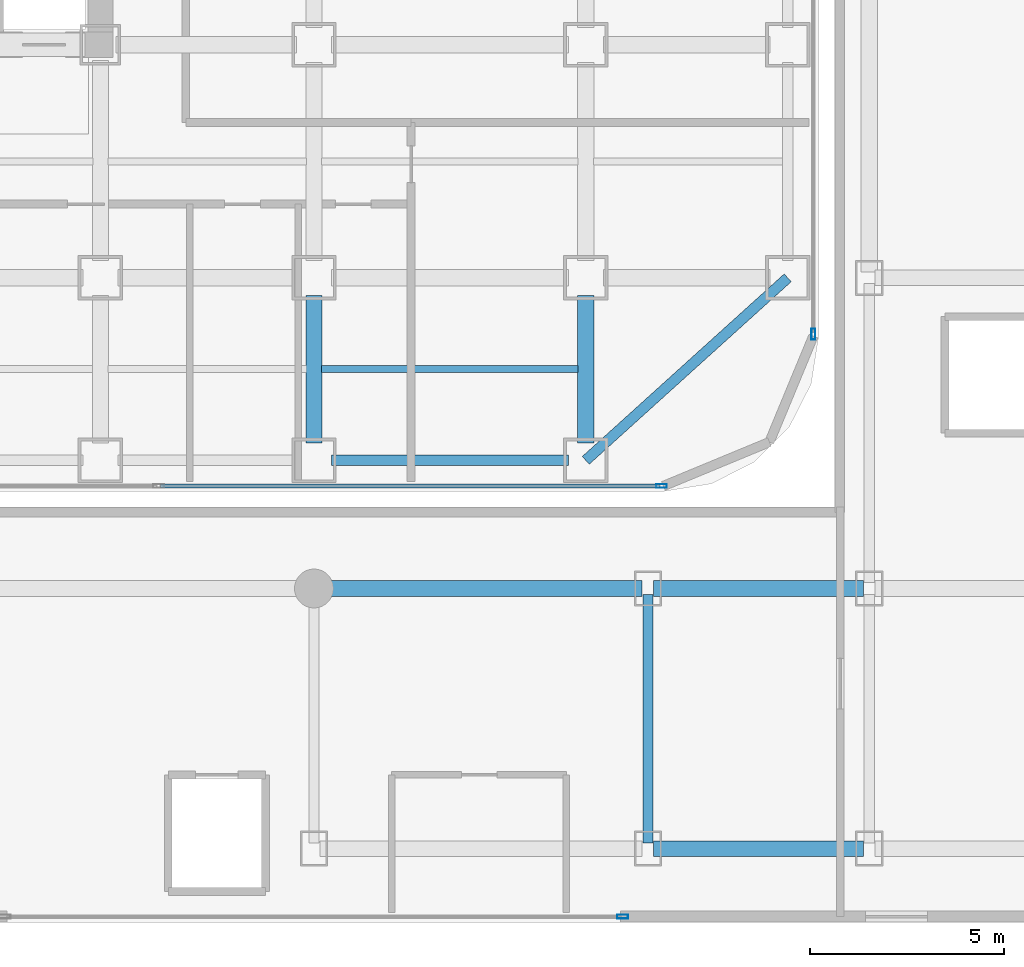
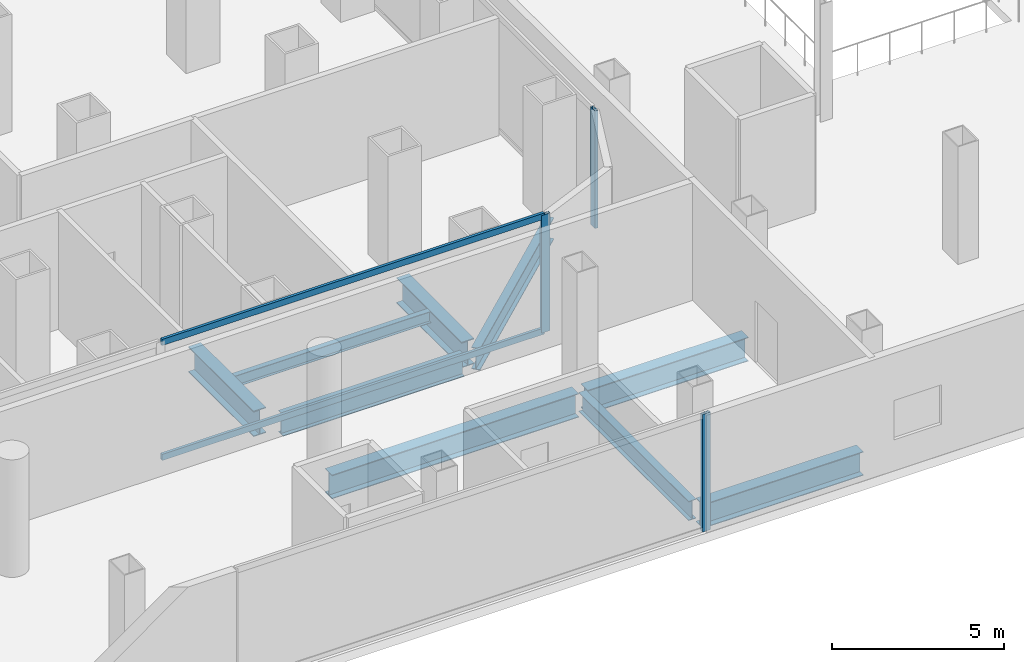
# One storey, part 10 of 27: 9 beams, 5 members, 3 elements without a shape of their own.
"""IFC4 building model written with IfcOpenShell, lengths in metres."""

from ifc_helpers import new_model, si_unit, direction, frame, origin, origin_2d, place, context, subcontext, project, spatial, hollow_rectangle, i_section, extrude, source, transform, mapped, material, layer, layer_set, material_profile, profile_set, type_object, element, aggregate, save


model = new_model("IFC4")

# Units and contexts
model_context = context("Model", 3, precision=1e-05, world=origin(), true_north=direction((0.0, 1.0)))
body_context = subcontext(model_context, "Body", "Model", "MODEL_VIEW")
ifc_project = project(units=[si_unit("LENGTHUNIT", "METRE"), si_unit("AREAUNIT", "SQUARE_METRE"), si_unit("VOLUMEUNIT", "CUBIC_METRE"), si_unit("PLANEANGLEUNIT", "RADIAN"), si_unit("MASSUNIT", "GRAM", prefix="KILO")], contexts=[model_context])

# Site, building, storey
site_placement = place(None, origin())
site = spatial("IfcSite", under=ifc_project, at=site_placement, CompositionType="ELEMENT")
building_placement = place(site_placement, origin())
building = spatial("IfcBuilding", under=site, at=building_placement, Name="Kolveth Station Tower", CompositionType="ELEMENT")
storey_placement = place(building_placement, frame((0.0, 0.0, 13.5)))
storey = spatial("IfcBuildingStorey", under=building, at=storey_placement, Name="L03", CompositionType="ELEMENT", Elevation=13.5)

# Beams
ifc_material_1 = material(Name="Steel S355", Category="steel")
ifc_material_profile_1 = material_profile(ifc_material_1, i_section(OverallWidth=0.26904296875, OverallDepth=0.77490234375, WebThickness=0.01708984375, FlangeThickness=0.0283203125, at=origin_2d()), Name="W760x220")
ifc_profile_set_1 = profile_set([ifc_material_profile_1], Name="Steel S355")
beam_type_1 = type_object("IfcBeamType", Name="Beam_SP1", PredefinedType="SPANDREL", material=ifc_profile_set_1)
shared_shape_1 = source(origin(), body_context, "Body", "SweptSolid", [
    extrude(i_section(OverallWidth=0.26904296875, OverallDepth=0.77490234375, WebThickness=0.01708984375, FlangeThickness=0.0283203125, at=origin_2d()), origin(), (0.0, 0.0, 1.0), 6.10009765625),
])
beam_1_placement = place(storey_placement, frame((34.449951171875, 0.800048828125, -0.70751953125), z_axis=(1.0, 0.0, 0.0), x_axis=(0.0, 1.0, 0.0)))
element("IfcBeam", 1, at=beam_1_placement, inside=storey, type_object=beam_type_1, Name="L03 Perimeter Spandrel BM-L03-PS-5", PredefinedType="SPANDREL", context=body_context, shape_type="MappedRepresentation", body=[
    mapped(shared_shape_1, transform((0.0, 0.0, 0.0), x_axis=(1.0, 0.0, 0.0), y_axis=(0.0, 1.0, 0.0), z_axis=(0.0, 0.0, 1.0), scale=1.0)),
])
shared_shape_2 = source(origin(), body_context, "Body", "SweptSolid", [
    extrude(i_section(OverallWidth=0.26904296875, OverallDepth=0.77490234375, WebThickness=0.01708984375, FlangeThickness=0.0283203125, at=origin_2d()), origin(), (0.0, 0.0, 1.0), 7.00927734375),
])
beam_2_placement = place(storey_placement, frame((41.0, 0.800048828125, -0.70751953125), z_axis=(0.741874009795, 0.670539300557, 0.0), x_axis=(-0.670539300557, 0.741874009795, 0.0)))
element("IfcBeam", 2, at=beam_2_placement, inside=storey, type_object=beam_type_1, Name="L03 Corner Edge Girder BM-L03-CNR-SE", PredefinedType="SPANDREL", context=body_context, shape_type="MappedRepresentation", body=[
    mapped(shared_shape_2, transform((0.0, 0.0, 0.0), x_axis=(1.0, 0.0, 0.0), y_axis=(0.0, 1.0, 0.0), z_axis=(0.0, 0.0, 1.0), scale=1.0)),
])
ifc_material_profile_2 = material_profile(ifc_material_1, i_section(OverallWidth=0.41796875, OverallDepth=0.912109375, WebThickness=0.019287109375, FlangeThickness=0.031982421875, at=origin_2d()), Name="W920x342")
ifc_profile_set_2 = profile_set([ifc_material_profile_2], Name="Steel S355")
beam_type_2 = type_object("IfcBeamType", Name="Beam_B1", PredefinedType="BEAM", material=ifc_profile_set_2)
shared_shape_3 = source(origin(), body_context, "Body", "SweptSolid", [
    extrude(i_section(OverallWidth=0.41796875, OverallDepth=0.912109375, WebThickness=0.019287109375, FlangeThickness=0.031982421875, at=origin_2d()), origin(), (0.0, 0.0, 1.0), 3.800048828125),
])
for number, where, z_axis, x_axis, name in (
    (3, (34.0, 1.25, -0.77587890625), (0.0, 1.0, 0.0), (-1.0, 0.0, 0.0), "L03 Primary Girder BM-L03-GX340-1"),
    (4, (41.0, 1.25, -0.77587890625), (0.0, 1.0, 0.0), (-1.0, 0.0, 0.0), "L03 Primary Girder BM-L03-GX410-1"),
):
    element("IfcBeam", number, at=place(storey_placement, frame(where, z_axis=z_axis, x_axis=x_axis)), inside=storey, type_object=beam_type_2, Name=name, PredefinedType="BEAM", context=body_context, shape_type="MappedRepresentation", body=[
        mapped(shared_shape_3, transform((0.0, 0.0, 0.0), x_axis=(1.0, 0.0, 0.0), y_axis=(0.0, 1.0, 0.0), z_axis=(0.0, 0.0, 1.0), scale=1.0)),
    ])
ifc_material_profile_3 = material_profile(ifc_material_1, i_section(OverallWidth=0.177978515625, OverallDepth=0.406982421875, WebThickness=0.0078125, FlangeThickness=0.0126953125, at=origin_2d()), Name="W410x60")
ifc_profile_set_3 = profile_set([ifc_material_profile_3], Name="Steel S355")
beam_type_3 = type_object("IfcBeamType", Name="Beam_J1", PredefinedType="JOIST", material=ifc_profile_set_3)
shared_shape_4 = source(origin(), body_context, "Body", "SweptSolid", [
    extrude(i_section(OverallWidth=0.177978515625, OverallDepth=0.406982421875, WebThickness=0.0078125, FlangeThickness=0.0126953125, at=origin_2d()), origin(), (0.0, 0.0, 1.0), 6.60986328125),
])
beam_3_placement = place(storey_placement, frame((34.195068359375, 3.14990234375, -0.5234375), z_axis=(1.0, 0.0, 0.0), x_axis=(0.0, 1.0, 0.0)))
element("IfcBeam", 5, at=beam_3_placement, inside=storey, type_object=beam_type_3, Name="L03 Secondary Joist JST-L03-6-1", PredefinedType="JOIST", context=body_context, shape_type="MappedRepresentation", body=[
    mapped(shared_shape_4, transform((0.0, 0.0, 0.0), x_axis=(1.0, 0.0, 0.0), y_axis=(0.0, 1.0, 0.0), z_axis=(0.0, 0.0, 1.0), scale=1.0)),
])
ifc_material_profile_4 = material_profile(ifc_material_1, i_section(OverallWidth=0.40087890625, OverallDepth=0.85107421875, WebThickness=0.01611328125, FlangeThickness=0.025390625, at=origin_2d()), Name="W840x226")
ifc_profile_set_4 = profile_set([ifc_material_profile_4], Name="Steel S355")
beam_type_4 = type_object("IfcBeamType", Name="Beam_B2", PredefinedType="BEAM", material=ifc_profile_set_4)
shared_shape_5 = source(origin(), body_context, "Body", "SweptSolid", [
    extrude(i_section(OverallWidth=0.40087890625, OverallDepth=0.85107421875, WebThickness=0.01611328125, FlangeThickness=0.025390625, at=origin_2d()), origin(), (0.0, 0.0, 1.0), 8.300048828125),
])
beam_4_placement = place(storey_placement, frame((34.14990234375, -2.5, -0.74560546875), z_axis=(1.0, 0.0, 0.0), x_axis=(0.0, 1.0, 0.0)))
element("IfcBeam", 6, at=beam_4_placement, inside=storey, type_object=beam_type_4, Name="L03 Station Concourse Girder SBM-L03-SL2-4", PredefinedType="BEAM", context=body_context, shape_type="MappedRepresentation", body=[
    mapped(shared_shape_5, transform((0.0, 0.0, 0.0), x_axis=(1.0, 0.0, 0.0), y_axis=(0.0, 1.0, 0.0), z_axis=(0.0, 0.0, 1.0), scale=1.0)),
])
shared_shape_6 = source(origin(), body_context, "Body", "SweptSolid", [
    extrude(i_section(OverallWidth=0.40087890625, OverallDepth=0.85107421875, WebThickness=0.01611328125, FlangeThickness=0.025390625, at=origin_2d()), origin(), (0.0, 0.0, 1.0), 5.39990234375),
])
for number, where, z_axis, x_axis, name in (
    (7, (42.75, -9.199951171875, -0.74560546875), (1.0, 0.0, 0.0), (0.0, 1.0, 0.0), "L03 Station Concourse Girder SBM-L03-SL1-5"),
    (8, (42.75, -2.5, -0.74560546875), (1.0, 0.0, 0.0), (0.0, 1.0, 0.0), "L03 Station Concourse Girder SBM-L03-SL2-5"),
):
    element("IfcBeam", number, at=place(storey_placement, frame(where, z_axis=z_axis, x_axis=x_axis)), inside=storey, type_object=beam_type_4, Name=name, PredefinedType="BEAM", context=body_context, shape_type="MappedRepresentation", body=[
        mapped(shared_shape_6, transform((0.0, 0.0, 0.0), x_axis=(1.0, 0.0, 0.0), y_axis=(0.0, 1.0, 0.0), z_axis=(0.0, 0.0, 1.0), scale=1.0)),
    ])
ifc_material_profile_5 = material_profile(ifc_material_1, i_section(OverallWidth=0.25390625, OverallDepth=0.68798828125, WebThickness=0.01318359375, FlangeThickness=0.02099609375, at=origin_2d()), Name="W690x152")
ifc_profile_set_5 = profile_set([ifc_material_profile_5], Name="Steel S355")
beam_type_5 = type_object("IfcBeamType", Name="Beam_B4", PredefinedType="BEAM", material=ifc_profile_set_5)
shared_shape_7 = source(origin(), body_context, "Body", "SweptSolid", [
    extrude(i_section(OverallWidth=0.25390625, OverallDepth=0.68798828125, WebThickness=0.01318359375, FlangeThickness=0.02099609375, at=origin_2d()), origin(), (0.0, 0.0, 1.0), 6.400146484375),
])
beam_5_placement = place(storey_placement, frame((42.60009765625, -9.050048828125, -0.6640625), z_axis=(0.0, 1.0, 0.0), x_axis=(-1.0, 0.0, 0.0)))
element("IfcBeam", 9, at=beam_5_placement, inside=storey, type_object=beam_type_5, Name="L03 Station Transverse Beam SBM-L03-ST-5", PredefinedType="BEAM", context=body_context, shape_type="MappedRepresentation", body=[
    mapped(shared_shape_7, transform((0.0, 0.0, 0.0), x_axis=(1.0, 0.0, 0.0), y_axis=(0.0, 1.0, 0.0), z_axis=(0.0, 0.0, 1.0), scale=1.0)),
])

# Curtain wall, member
ifc_material_2 = material(Name="Black anodized aluminium 6063-T6 and clear station glass", Category="aluminium")
ifc_layer = layer(ifc_material_2, 0.239990234375)
ifc_layer_set = layer_set([ifc_layer], Name="Black anodized aluminium 6063-T6 and clear station glass")
curtain_wall_type = type_object("IfcCurtainWallType", Name="CurtainWall_CW-ST", PredefinedType="NOTDEFINED", material=ifc_layer_set)
curtain_wall_1_placement = place(storey_placement, origin())
curtain_wall_1 = element("IfcCurtainWall", 10, at=curtain_wall_1_placement, inside=storey, type_object=curtain_wall_type, Name="L03 Tower Podium South Storefront Curtain Wall", PredefinedType="NOTDEFINED")
ifc_material_3 = material(Name="Black anodized aluminium 6063-T6", Category="aluminium")
ifc_material_profile_6 = material_profile(ifc_material_3, hollow_rectangle(XDim=0.10009765625, YDim=0.280029296875, WallThickness=0.0048828125, at=origin_2d()), Name="ALU-100x280x5")
ifc_profile_set_6 = profile_set([ifc_material_profile_6], Name="Black anodized aluminium 6063-T6")
member_type_1 = type_object("IfcMemberType", Name="Mullion_ML-ST", PredefinedType="MULLION", material=ifc_profile_set_6)
shared_shape_8 = source(origin(), body_context, "Body", "SweptSolid", [
    extrude(hollow_rectangle(XDim=0.10009765625, YDim=0.280029296875, WallThickness=0.0048828125, at=origin_2d()), origin(), (0.0, 0.0, 1.0), 4.179931640625),
])
member_1_placement = place(storey_placement, frame((42.949951171875, 0.139892578125, 0.0), z_axis=(0.0, 0.0, 1.0), x_axis=(0.0, 1.0, 0.0)))
member_1 = element("IfcMember", 11, at=member_1_placement, type_object=member_type_1, Name="CW-ST mullion 4", PredefinedType="MULLION", context=body_context, shape_type="MappedRepresentation", body=[
    mapped(shared_shape_8, transform((0.0, 0.0, 0.0), x_axis=(1.0, 0.0, 0.0), y_axis=(0.0, 1.0, 0.0), z_axis=(0.0, 0.0, 1.0), scale=1.0)),
])

curtain_wall_2_placement = place(storey_placement, origin())
curtain_wall_2 = element("IfcCurtainWall", 12, at=curtain_wall_2_placement, inside=storey, type_object=curtain_wall_type, Name="L03 Tower Podium East Storefront Curtain Wall", PredefinedType="NOTDEFINED")
member_2_placement = place(storey_placement, frame((46.860107421875, 4.050048828125, 0.0), z_axis=(0.0, 0.0, 1.0), x_axis=(-1.0, 0.0, 0.0)))
member_2 = element("IfcMember", 13, at=member_2_placement, type_object=member_type_1, Name="CW-ST mullion 1", PredefinedType="MULLION", context=body_context, shape_type="MappedRepresentation", body=[
    mapped(shared_shape_8, transform((0.0, 0.0, 0.0), x_axis=(1.0, 0.0, 0.0), y_axis=(0.0, 1.0, 0.0), z_axis=(0.0, 0.0, 1.0), scale=1.0)),
])
aggregate(curtain_wall_2, [member_2])

curtain_wall_3_placement = place(storey_placement, origin())
curtain_wall_3 = element("IfcCurtainWall", 14, at=curtain_wall_3_placement, inside=storey, type_object=curtain_wall_type, Name="L03 Station South Concourse Curtain Wall", PredefinedType="NOTDEFINED")
member_3_placement = place(storey_placement, frame((41.949951171875, -10.949951171875, 0.0), z_axis=(0.0, 0.0, 1.0), x_axis=(0.0, 1.0, 0.0)))
member_3 = element("IfcMember", 15, at=member_3_placement, type_object=member_type_1, Name="CW-ST mullion 2", PredefinedType="MULLION", context=body_context, shape_type="MappedRepresentation", body=[
    mapped(shared_shape_8, transform((0.0, 0.0, 0.0), x_axis=(1.0, 0.0, 0.0), y_axis=(0.0, 1.0, 0.0), z_axis=(0.0, 0.0, 1.0), scale=1.0)),
])
aggregate(curtain_wall_3, [member_3])

# Member
ifc_material_profile_7 = material_profile(ifc_material_3, hollow_rectangle(XDim=0.094970703125, YDim=0.219970703125, WallThickness=0.0048828125, at=origin_2d()), Name="ALU-95x220x5")
ifc_profile_set_7 = profile_set([ifc_material_profile_7], Name="Black anodized aluminium 6063-T6")
member_type_2 = type_object("IfcMemberType", Name="Transom_TR-ST", PredefinedType="USERDEFINED", material=ifc_profile_set_7)
shared_shape_9 = source(origin(), body_context, "Body", "SweptSolid", [
    extrude(hollow_rectangle(XDim=0.094970703125, YDim=0.219970703125, WallThickness=0.0048828125, at=origin_2d()), origin(), (0.0, 0.0, 1.0), 12.849853515625),
])
member_4_placement = place(storey_placement, frame((30.050048828125, 0.139892578125, 0.047607421875), z_axis=(1.0, 0.0, 0.0), x_axis=(0.0, 1.0, 0.0)))
member_4 = element("IfcMember", 16, at=member_4_placement, type_object=member_type_2, Name="CW-ST transom 3.1", ObjectType="TRANSOM", PredefinedType="USERDEFINED", context=body_context, shape_type="MappedRepresentation", body=[
    mapped(shared_shape_9, transform((0.0, 0.0, 0.0), x_axis=(1.0, 0.0, 0.0), y_axis=(0.0, 1.0, 0.0), z_axis=(0.0, 0.0, 1.0), scale=1.0)),
])

member_5_placement = place(storey_placement, frame((30.050048828125, 0.139892578125, 4.132568359375), z_axis=(1.0, 0.0, 0.0), x_axis=(0.0, 1.0, 0.0)))
member_5 = element("IfcMember", 17, at=member_5_placement, type_object=member_type_2, Name="CW-ST transom 3.2", ObjectType="TRANSOM", PredefinedType="USERDEFINED", context=body_context, shape_type="MappedRepresentation", body=[
    mapped(shared_shape_9, transform((0.0, 0.0, 0.0), x_axis=(1.0, 0.0, 0.0), y_axis=(0.0, 1.0, 0.0), z_axis=(0.0, 0.0, 1.0), scale=1.0)),
])

aggregate(curtain_wall_1, [member_1, member_4, member_5])

save(model, "model.ifc")
